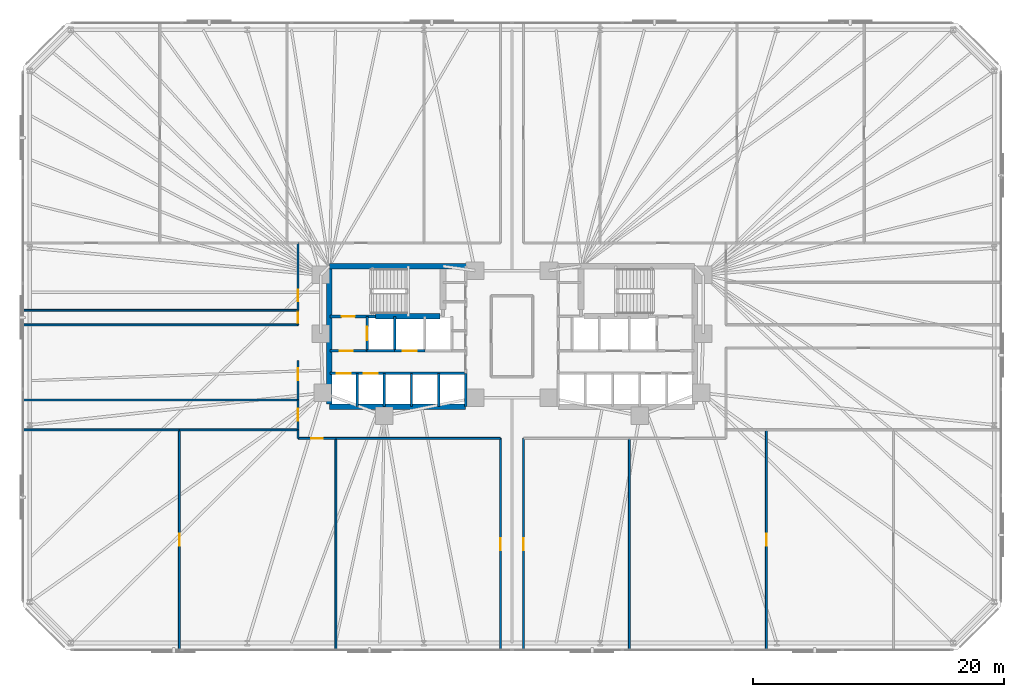
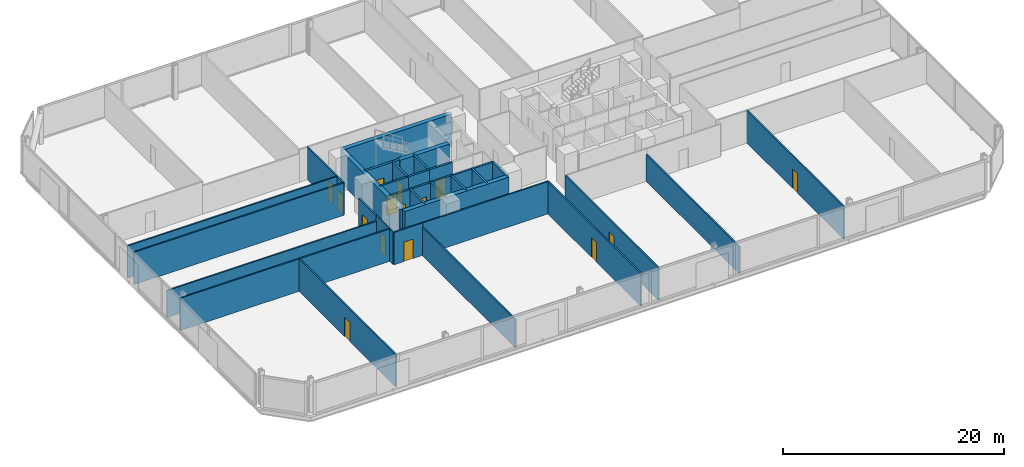
# One storey, part 12 of 17: 34 walls, 15 doors, 15 openings.
"""IFC4 building model written with IfcOpenShell, lengths in metres."""

from ifc_helpers import new_model, si_unit, direction, frame, frame_2d, origin, place, context, subcontext, project, spatial, rectangle, extrude, material, layer, layer_set, type_object, element, fill, save


model = new_model("IFC4")

# Units and contexts
model_context = context("Model", 3, precision=1e-05, world=origin(), true_north=direction((0.0, 1.0)))
body_context = subcontext(model_context, "Body", "Model", "MODEL_VIEW")
ifc_project = project(units=[si_unit("LENGTHUNIT", "METRE"), si_unit("AREAUNIT", "SQUARE_METRE"), si_unit("VOLUMEUNIT", "CUBIC_METRE"), si_unit("PLANEANGLEUNIT", "RADIAN"), si_unit("MASSUNIT", "GRAM", prefix="KILO")], contexts=[model_context])

# Site, building, storey
site_placement = place(None, origin())
site = spatial("IfcSite", under=ifc_project, at=site_placement, CompositionType="ELEMENT")
building_placement = place(site_placement, origin())
building = spatial("IfcBuilding", under=site, at=building_placement, Name="Menara Jurai Vektor", CompositionType="ELEMENT")
storey_placement = place(building_placement, frame((0.0, 0.0, 52.199951171875)))
storey = spatial("IfcBuildingStorey", under=building, at=storey_placement, Name="L12", CompositionType="ELEMENT", Elevation=52.199951171875)

# Wall, opening, door
ifc_material_1 = material(Name="Concrete C40/50", Category="concrete")
ifc_layer_1 = layer(ifc_material_1, 0.25)
ifc_layer_set_1 = layer_set([ifc_layer_1], Name="Concrete C40/50")
wall_type_1 = type_object("IfcWallType", Name="INT-WALL-CORE-250", PredefinedType="STANDARD", material=ifc_layer_set_1)
wall_1_placement = place(storey_placement, frame((-14.5, 1.60009765625, 0.0), z_axis=(0.0, 0.0, 1.0), x_axis=(1.0, 0.0, 0.0)))
wall_1 = element("IfcWall", 1, at=wall_1_placement, inside=storey, type_object=wall_type_1, Name="Interior Wall IW-250 L12", PredefinedType="STANDARD", context=body_context, shape_type="SweptSolid", body=[
    extrude(rectangle(XDim=3.60009765625, YDim=0.25, at=frame_2d((1.800048828125, 0.0))), origin(), (0.0, 0.0, 1.0), 3.574951171875),
])
opening_1_placement = place(wall_1_placement, frame((0.919921875, 0.0, 0.0)))
opening_1 = element("IfcOpeningElement", 2, at=opening_1_placement, cuts=wall_1, Name="Opening D-L12-ST1", PredefinedType="OPENING", context=body_context, shape_type="SweptSolid", body=[
    extrude(rectangle(XDim=1.050048828125, YDim=2.14990234375, at=frame_2d((0.52490234375, 1.074951171875))), frame((0.0, 0.135009765625, 0.0), z_axis=(0.0, -1.0, 0.0), x_axis=(1.0, 0.0, 0.0)), (0.0, 0.0, 1.0), 0.27001953125),
])
ifc_material_2 = material(Name="Fire-Rated Steel Door", Category="steel")
door_type_1 = type_object("IfcDoorType", Name="DR-STAIR-1050", OperationType="NOTDEFINED", PredefinedType="DOOR", material=ifc_material_2)
door_1_placement = place(opening_1_placement, origin())
door_1 = element("IfcDoor", 3, at=door_1_placement, inside=storey, type_object=door_type_1, Name="Exit Stair ST1 Door L12", OperationType="SINGLE_SWING_RIGHT", OverallHeight=2.14990234375, OverallWidth=1.050048828125, PredefinedType="DOOR", context=body_context, shape_type="SweptSolid", body=[
    extrude(rectangle(XDim=1.050048828125, YDim=2.14990234375, at=frame_2d((0.52490234375, 1.074951171875))), frame((0.0, 0.02490234375, 0.0), z_axis=(0.0, -1.0, 0.0), x_axis=(1.0, 0.0, 0.0)), (0.0, 0.0, 1.0), 0.050048828125),
])
fill(opening_1, door_1)

wall_2_placement = place(storey_placement, frame((-11.550048828125, -1.14990234375, 0.0), z_axis=(0.0, 0.0, 1.0), x_axis=(0.0, 1.0, 0.0)))
wall_2 = element("IfcWall", 4, at=wall_2_placement, inside=storey, type_object=wall_type_1, Name="Interior Wall IW-250 L12", PredefinedType="STANDARD", context=body_context, shape_type="SweptSolid", body=[
    extrude(rectangle(XDim=2.75, YDim=0.199951171875, at=frame_2d((1.375, 0.0))), origin(), (0.0, 0.0, 1.0), 3.574951171875),
])
opening_2_placement = place(wall_2_placement, frame((0.824951171875, 0.0, 0.0)))
opening_2 = element("IfcOpeningElement", 5, at=opening_2_placement, cuts=wall_2, Name="Opening LD-L12-FL1", PredefinedType="OPENING", context=body_context, shape_type="SweptSolid", body=[
    extrude(rectangle(XDim=1.10009765625, YDim=2.14990234375, at=frame_2d((0.550048828125, 1.074951171875))), frame((0.0, 0.10986328125, 0.0), z_axis=(0.0, -1.0, 0.0), x_axis=(1.0, 0.0, 0.0)), (0.0, 0.0, 1.0), 0.219970703125),
])
ifc_material_3 = material(Name="Stainless Steel Sliding Lift Landing Door", Category="steel")
door_type_2 = type_object("IfcDoorType", Name="DR-LIFT-FIRE-1100", OperationType="NOTDEFINED", PredefinedType="DOOR", material=ifc_material_3)
door_2_placement = place(opening_2_placement, origin())
door_2 = element("IfcDoor", 6, at=door_2_placement, inside=storey, type_object=door_type_2, Name="Lift Landing Door FL1 L12", OperationType="SLIDING_TO_RIGHT", OverallHeight=2.14990234375, OverallWidth=1.10009765625, PredefinedType="DOOR", context=body_context, shape_type="SweptSolid", body=[
    extrude(rectangle(XDim=1.10009765625, YDim=2.14990234375, at=frame_2d((0.550048828125, 1.074951171875))), frame((0.0, 0.02490234375, 0.0), z_axis=(0.0, -1.0, 0.0), x_axis=(1.0, 0.0, 0.0)), (0.0, 0.0, 1.0), 0.050048828125),
])
fill(opening_2, door_2)

# Wall
wall_3_placement = place(storey_placement, frame((-9.35009765625, -1.14990234375, 0.0), z_axis=(0.0, 0.0, 1.0), x_axis=(0.0, 1.0, 0.0)))
element("IfcWall", 7, at=wall_3_placement, inside=storey, type_object=wall_type_1, Name="Interior Wall IW-250 L12", PredefinedType="STANDARD", context=body_context, shape_type="SweptSolid", body=[
    extrude(rectangle(XDim=2.75, YDim=0.199951171875, at=frame_2d((1.375, 0.0))), origin(), (0.0, 0.0, 1.0), 3.574951171875),
])

# Wall, opening, door
wall_4_placement = place(storey_placement, frame((-14.5, -1.14990234375, 0.0), z_axis=(0.0, 0.0, 1.0), x_axis=(1.0, 0.0, 0.0)))
wall_4 = element("IfcWall", 8, at=wall_4_placement, inside=storey, type_object=wall_type_1, Name="Interior Wall IW-250 L12", PredefinedType="STANDARD", context=body_context, shape_type="SweptSolid", body=[
    extrude(rectangle(XDim=2.949951171875, YDim=0.199951171875, at=frame_2d((1.47509765625, 0.0))), origin(), (0.0, 0.0, 1.0), 3.574951171875),
])
opening_3_placement = place(wall_4_placement, frame((0.75, 0.0, 0.0)))
opening_3 = element("IfcOpeningElement", 9, at=opening_3_placement, cuts=wall_4, Name="Opening D-L12-FFW", PredefinedType="OPENING", context=body_context, shape_type="SweptSolid", body=[
    extrude(rectangle(XDim=1.050048828125, YDim=2.179931640625, at=frame_2d((0.52490234375, 1.08984375))), frame((0.0, 0.10986328125, 0.0), z_axis=(0.0, -1.0, 0.0), x_axis=(1.0, 0.0, 0.0)), (0.0, 0.0, 1.0), 0.219970703125),
])
ifc_material_4 = material(Name="Fire-Rated Timber Door", Category="wood")
door_type_3 = type_object("IfcDoorType", Name="DR-LOBBY-1050", OperationType="NOTDEFINED", PredefinedType="DOOR", material=ifc_material_4)
door_3_placement = place(opening_3_placement, origin())
door_3 = element("IfcDoor", 10, at=door_3_placement, inside=storey, type_object=door_type_3, Name="Fire Lift Lobby Door W L12", OperationType="SINGLE_SWING_RIGHT", OverallHeight=2.179931640625, OverallWidth=1.050048828125, PredefinedType="DOOR", context=body_context, shape_type="SweptSolid", body=[
    extrude(rectangle(XDim=1.050048828125, YDim=2.179931640625, at=frame_2d((0.52490234375, 1.08984375))), frame((0.0, 0.02490234375, 0.0), z_axis=(0.0, -1.0, 0.0), x_axis=(1.0, 0.0, 0.0)), (0.0, 0.0, 1.0), 0.050048828125),
])
fill(opening_3, door_3)

# Walls
wall_5_placement = place(storey_placement, frame((-11.550048828125, -1.14990234375, 0.0), z_axis=(0.0, 0.0, 1.0), x_axis=(1.0, 0.0, 0.0)))
element("IfcWall", 11, at=wall_5_placement, inside=storey, type_object=wall_type_1, Name="Interior Wall IW-250 L12", PredefinedType="STANDARD", context=body_context, shape_type="SweptSolid", body=[
    extrude(rectangle(XDim=2.199951171875, YDim=0.199951171875, at=frame_2d((1.10009765625, 0.0))), origin(), (0.0, 0.0, 1.0), 3.574951171875),
])
ifc_material_5 = material(Name="Gypsum Fireboard Partition", Category="gypsum")
ifc_layer_2 = layer(ifc_material_5, 0.14990234375)
ifc_layer_set_2 = layer_set([ifc_layer_2], Name="Gypsum Fireboard Partition")
wall_type_2 = type_object("IfcWallType", Name="INT-WALL-CORR-150", PredefinedType="PARTITIONING", material=ifc_layer_set_2)
wall_6_placement = place(storey_placement, frame((-17.05908203125, -8.1298828125, 0.0), z_axis=(0.0, 0.0, 1.0), x_axis=(0.0, 1.0, 0.0)))
element("IfcWall", 12, at=wall_6_placement, inside=storey, type_object=wall_type_2, Name="Interior Wall IW-150 L12", PredefinedType="PARTITIONING", context=body_context, shape_type="SweptSolid", body=[
    extrude(rectangle(XDim=0.679931640625, YDim=0.14990234375, at=frame_2d((0.33984375, 0.0))), origin(), (0.0, 0.0, 1.0), 3.574951171875),
])

# Wall, opening, door
wall_7_placement = place(storey_placement, frame((-17.05908203125, -8.1298828125, 0.0), z_axis=(0.0, 0.0, 1.0), x_axis=(1.0, 0.0, 0.0)))
wall_7 = element("IfcWall", 13, at=wall_7_placement, inside=storey, type_object=wall_type_2, Name="Interior Wall IW-150 L12", PredefinedType="PARTITIONING", context=body_context, shape_type="SweptSolid", body=[
    extrude(rectangle(XDim=3.01904296875, YDim=0.14990234375, at=frame_2d((1.509521484375, 0.0))), origin(), (0.0, 0.0, 1.0), 3.574951171875),
])
opening_4_placement = place(wall_7_placement, frame((1.034423828125, 0.0, 0.0)))
opening_4 = element("IfcOpeningElement", 14, at=opening_4_placement, cuts=wall_7, Name="Opening D12-11", PredefinedType="OPENING", context=body_context, shape_type="SweptSolid", body=[
    extrude(rectangle(XDim=0.949951171875, YDim=2.14990234375, at=frame_2d((0.47509765625, 1.074951171875))), frame((0.0, 0.0849609375, 0.0), z_axis=(0.0, -1.0, 0.0), x_axis=(1.0, 0.0, 0.0)), (0.0, 0.0, 1.0), 0.169921875),
])
ifc_material_6 = material(Name="Solid Core Timber Fire Door", Category="wood")
door_type_4 = type_object("IfcDoorType", Name="DR-ENTRY-950", OperationType="NOTDEFINED", PredefinedType="DOOR", material=ifc_material_6)
door_4_placement = place(opening_4_placement, origin())
door_4 = element("IfcDoor", 15, at=door_4_placement, inside=storey, type_object=door_type_4, Name="Interior Door D12-11", OperationType="SINGLE_SWING_RIGHT", OverallHeight=2.14990234375, OverallWidth=0.949951171875, PredefinedType="DOOR", context=body_context, shape_type="SweptSolid", body=[
    extrude(rectangle(XDim=0.949951171875, YDim=2.14990234375, at=frame_2d((0.47509765625, 1.074951171875))), frame((0.0, 0.02490234375, 0.0), z_axis=(0.0, -1.0, 0.0), x_axis=(1.0, 0.0, 0.0)), (0.0, 0.0, 1.0), 0.050048828125),
])
fill(opening_4, door_4)

# Wall
wall_8_placement = place(storey_placement, frame((-14.0400390625, -8.1298828125, 0.0), z_axis=(0.0, 0.0, 1.0), x_axis=(1.0, 0.0, 0.0)))
element("IfcWall", 16, at=wall_8_placement, inside=storey, type_object=wall_type_2, Name="Interior Wall IW-150 L12", PredefinedType="PARTITIONING", context=body_context, shape_type="SweptSolid", body=[
    extrude(rectangle(XDim=13.1201171875, YDim=0.14990234375, at=frame_2d((6.56005859375, 0.0))), origin(), (0.0, 0.0, 1.0), 3.574951171875),
])

# Wall, opening, door
wall_9_placement = place(storey_placement, frame((-0.919921875, -25.0, 0.0), z_axis=(0.0, 0.0, 1.0), x_axis=(0.0, 1.0, 0.0)))
wall_9 = element("IfcWall", 17, at=wall_9_placement, inside=storey, type_object=wall_type_2, Name="Interior Wall IW-150 L12", PredefinedType="PARTITIONING", context=body_context, shape_type="SweptSolid", body=[
    extrude(rectangle(XDim=16.8701171875, YDim=0.14990234375, at=frame_2d((8.43505859375, 0.0))), origin(), (0.0, 0.0, 1.0), 3.574951171875),
])
opening_5_placement = place(wall_9_placement, frame((7.9599609375, 0.0, 0.0)))
opening_5 = element("IfcOpeningElement", 18, at=opening_5_placement, cuts=wall_9, Name="Opening D12-12", PredefinedType="OPENING", context=body_context, shape_type="SweptSolid", body=[
    extrude(rectangle(XDim=0.949951171875, YDim=2.14990234375, at=frame_2d((0.47509765625, 1.074951171875))), frame((0.0, 0.0849609375, 0.0), z_axis=(0.0, -1.0, 0.0), x_axis=(1.0, 0.0, 0.0)), (0.0, 0.0, 1.0), 0.169921875),
])
door_5_placement = place(opening_5_placement, origin())
door_5 = element("IfcDoor", 19, at=door_5_placement, inside=storey, type_object=door_type_4, Name="Interior Door D12-12", OperationType="SINGLE_SWING_LEFT", OverallHeight=2.14990234375, OverallWidth=0.949951171875, PredefinedType="DOOR", context=body_context, shape_type="SweptSolid", body=[
    extrude(rectangle(XDim=0.949951171875, YDim=2.14990234375, at=frame_2d((0.47509765625, 1.074951171875))), frame((0.0, 0.02490234375, 0.0), z_axis=(0.0, -1.0, 0.0), x_axis=(1.0, 0.0, 0.0)), (0.0, 0.0, 1.0), 0.050048828125),
])
fill(opening_5, door_5)

wall_10_placement = place(storey_placement, frame((0.919921875, -25.0, 0.0), z_axis=(0.0, 0.0, 1.0), x_axis=(0.0, 1.0, 0.0)))
wall_10 = element("IfcWall", 20, at=wall_10_placement, inside=storey, type_object=wall_type_2, Name="Interior Wall IW-150 L12", PredefinedType="PARTITIONING", context=body_context, shape_type="SweptSolid", body=[
    extrude(rectangle(XDim=16.8701171875, YDim=0.14990234375, at=frame_2d((8.43505859375, 0.0))), origin(), (0.0, 0.0, 1.0), 3.574951171875),
])
opening_6_placement = place(wall_10_placement, frame((7.9599609375, 0.0, 0.0)))
opening_6 = element("IfcOpeningElement", 21, at=opening_6_placement, cuts=wall_10, Name="Opening D12-13", PredefinedType="OPENING", context=body_context, shape_type="SweptSolid", body=[
    extrude(rectangle(XDim=0.949951171875, YDim=2.14990234375, at=frame_2d((0.47509765625, 1.074951171875))), frame((0.0, 0.0849609375, 0.0), z_axis=(0.0, -1.0, 0.0), x_axis=(1.0, 0.0, 0.0)), (0.0, 0.0, 1.0), 0.169921875),
])
door_6_placement = place(opening_6_placement, origin())
door_6 = element("IfcDoor", 22, at=door_6_placement, inside=storey, type_object=door_type_4, Name="Interior Door D12-13", OperationType="SINGLE_SWING_RIGHT", OverallHeight=2.14990234375, OverallWidth=0.949951171875, PredefinedType="DOOR", context=body_context, shape_type="SweptSolid", body=[
    extrude(rectangle(XDim=0.949951171875, YDim=2.14990234375, at=frame_2d((0.47509765625, 1.074951171875))), frame((0.0, 0.02490234375, 0.0), z_axis=(0.0, -1.0, 0.0), x_axis=(1.0, 0.0, 0.0)), (0.0, 0.0, 1.0), 0.050048828125),
])
fill(opening_6, door_6)

wall_11_placement = place(storey_placement, frame((-17.05908203125, -7.449951171875, 0.0), z_axis=(0.0, 0.0, 1.0), x_axis=(0.0, 1.0, 0.0)))
wall_11 = element("IfcWall", 23, at=wall_11_placement, inside=storey, type_object=wall_type_2, Name="Interior Wall IW-150 L12", PredefinedType="PARTITIONING", context=body_context, shape_type="SweptSolid", body=[
    extrude(rectangle(XDim=2.384033203125, YDim=0.14990234375, at=frame_2d((1.19189453125, 0.0))), origin(), (0.0, 0.0, 1.0), 3.574951171875),
])
opening_7_placement = place(wall_11_placement, frame((0.717041015625, 0.0, 0.0)))
opening_7 = element("IfcOpeningElement", 24, at=opening_7_placement, cuts=wall_11, Name="Opening D12-15", PredefinedType="OPENING", context=body_context, shape_type="SweptSolid", body=[
    extrude(rectangle(XDim=0.949951171875, YDim=2.14990234375, at=frame_2d((0.47509765625, 1.074951171875))), frame((0.0, 0.0849609375, 0.0), z_axis=(0.0, -1.0, 0.0), x_axis=(1.0, 0.0, 0.0)), (0.0, 0.0, 1.0), 0.169921875),
])
door_7_placement = place(opening_7_placement, origin())
door_7 = element("IfcDoor", 25, at=door_7_placement, inside=storey, type_object=door_type_4, Name="Interior Door D12-15", OperationType="SINGLE_SWING_RIGHT", OverallHeight=2.14990234375, OverallWidth=0.949951171875, PredefinedType="DOOR", context=body_context, shape_type="SweptSolid", body=[
    extrude(rectangle(XDim=0.949951171875, YDim=2.14990234375, at=frame_2d((0.47509765625, 1.074951171875))), frame((0.0, 0.02490234375, 0.0), z_axis=(0.0, -1.0, 0.0), x_axis=(1.0, 0.0, 0.0)), (0.0, 0.0, 1.0), 0.050048828125),
])
fill(opening_7, door_7)

wall_12_placement = place(storey_placement, frame((-17.05908203125, -5.06591796875, 0.0), z_axis=(0.0, 0.0, 1.0), x_axis=(0.0, 1.0, 0.0)))
wall_12 = element("IfcWall", 26, at=wall_12_placement, inside=storey, type_object=wall_type_2, Name="Interior Wall IW-150 L12", PredefinedType="PARTITIONING", context=body_context, shape_type="SweptSolid", body=[
    extrude(rectangle(XDim=3.12890625, YDim=0.14990234375, at=frame_2d((1.564453125, 0.0))), origin(), (0.0, 0.0, 1.0), 3.574951171875),
])
opening_8_placement = place(wall_12_placement, frame((1.558837890625, 0.0, 0.0)))
opening_8 = element("IfcOpeningElement", 27, at=opening_8_placement, cuts=wall_12, Name="Opening D12-16", PredefinedType="OPENING", context=body_context, shape_type="SweptSolid", body=[
    extrude(rectangle(XDim=0.949951171875, YDim=2.14990234375, at=frame_2d((0.47509765625, 1.074951171875))), frame((0.0, 0.0849609375, 0.0), z_axis=(0.0, -1.0, 0.0), x_axis=(1.0, 0.0, 0.0)), (0.0, 0.0, 1.0), 0.169921875),
])
door_8_placement = place(opening_8_placement, origin())
door_8 = element("IfcDoor", 28, at=door_8_placement, inside=storey, type_object=door_type_4, Name="Interior Door D12-16", OperationType="SINGLE_SWING_LEFT", OverallHeight=2.14990234375, OverallWidth=0.949951171875, PredefinedType="DOOR", context=body_context, shape_type="SweptSolid", body=[
    extrude(rectangle(XDim=0.949951171875, YDim=2.14990234375, at=frame_2d((0.47509765625, 1.074951171875))), frame((0.0, 0.02490234375, 0.0), z_axis=(0.0, -1.0, 0.0), x_axis=(1.0, 0.0, 0.0)), (0.0, 0.0, 1.0), 0.050048828125),
])
fill(opening_8, door_8)

# Wall
wall_13_placement = place(storey_placement, frame((-39.0, 0.919921875, 0.0), z_axis=(0.0, 0.0, 1.0), x_axis=(1.0, 0.0, 0.0)))
element("IfcWall", 29, at=wall_13_placement, inside=storey, type_object=wall_type_2, Name="Interior Wall IW-150 L12", PredefinedType="PARTITIONING", context=body_context, shape_type="SweptSolid", body=[
    extrude(rectangle(XDim=21.94091796875, YDim=0.14990234375, at=frame_2d((10.970458984375, 0.0))), origin(), (0.0, 0.0, 1.0), 3.574951171875),
])

# Wall, opening, door
wall_14_placement = place(storey_placement, frame((-17.05908203125, 0.919921875, 0.0), z_axis=(0.0, 0.0, 1.0), x_axis=(0.0, 1.0, 0.0)))
wall_14 = element("IfcWall", 30, at=wall_14_placement, inside=storey, type_object=wall_type_2, Name="Interior Wall IW-150 L12", PredefinedType="PARTITIONING", context=body_context, shape_type="SweptSolid", body=[
    extrude(rectangle(XDim=1.166015625, YDim=0.14990234375, at=frame_2d((0.5830078125, 0.0))), origin(), (0.0, 0.0, 1.0), 3.574951171875),
])
opening_9_placement = place(wall_14_placement, frame((0.1201171875, 0.0, 0.0)))
opening_9 = element("IfcOpeningElement", 31, at=opening_9_placement, cuts=wall_14, Name="Opening D12-17", PredefinedType="OPENING", context=body_context, shape_type="SweptSolid", body=[
    extrude(rectangle(XDim=0.926025390625, YDim=2.14990234375, at=frame_2d((0.462890625, 1.074951171875))), frame((0.0, 0.0849609375, 0.0), z_axis=(0.0, -1.0, 0.0), x_axis=(1.0, 0.0, 0.0)), (0.0, 0.0, 1.0), 0.169921875),
])
door_9_placement = place(opening_9_placement, origin())
door_9 = element("IfcDoor", 32, at=door_9_placement, inside=storey, type_object=door_type_4, Name="Interior Door D12-17", OperationType="SINGLE_SWING_RIGHT", OverallHeight=2.14990234375, OverallWidth=0.926025390625, PredefinedType="DOOR", context=body_context, shape_type="SweptSolid", body=[
    extrude(rectangle(XDim=0.926025390625, YDim=2.14990234375, at=frame_2d((0.462890625, 1.074951171875))), frame((0.0, 0.02490234375, 0.0), z_axis=(0.0, -1.0, 0.0), x_axis=(1.0, 0.0, 0.0)), (0.0, 0.0, 1.0), 0.050048828125),
])
fill(opening_9, door_9)

wall_15_placement = place(storey_placement, frame((-17.05908203125, 2.0859375, 0.0), z_axis=(0.0, 0.0, 1.0), x_axis=(0.0, 1.0, 0.0)))
wall_15 = element("IfcWall", 33, at=wall_15_placement, inside=storey, type_object=wall_type_2, Name="Interior Wall IW-150 L12", PredefinedType="PARTITIONING", context=body_context, shape_type="SweptSolid", body=[
    extrude(rectangle(XDim=5.364013671875, YDim=0.14990234375, at=frame_2d((2.68212890625, 0.0))), origin(), (0.0, 0.0, 1.0), 3.574951171875),
])
opening_10_placement = place(wall_15_placement, frame((0.705078125, 0.0, 0.0)))
opening_10 = element("IfcOpeningElement", 34, at=opening_10_placement, cuts=wall_15, Name="Opening D12-18", PredefinedType="OPENING", context=body_context, shape_type="SweptSolid", body=[
    extrude(rectangle(XDim=0.949951171875, YDim=2.14990234375, at=frame_2d((0.47509765625, 1.074951171875))), frame((0.0, 0.0849609375, 0.0), z_axis=(0.0, -1.0, 0.0), x_axis=(1.0, 0.0, 0.0)), (0.0, 0.0, 1.0), 0.169921875),
])
door_10_placement = place(opening_10_placement, origin())
door_10 = element("IfcDoor", 35, at=door_10_placement, inside=storey, type_object=door_type_4, Name="Interior Door D12-18", OperationType="SINGLE_SWING_LEFT", OverallHeight=2.14990234375, OverallWidth=0.949951171875, PredefinedType="DOOR", context=body_context, shape_type="SweptSolid", body=[
    extrude(rectangle(XDim=0.949951171875, YDim=2.14990234375, at=frame_2d((0.47509765625, 1.074951171875))), frame((0.0, 0.02490234375, 0.0), z_axis=(0.0, -1.0, 0.0), x_axis=(1.0, 0.0, 0.0)), (0.0, 0.0, 1.0), 0.050048828125),
])
fill(opening_10, door_10)

wall_16_placement = place(storey_placement, frame((-26.52001953125, -25.0, 0.0), z_axis=(0.0, 0.0, 1.0), x_axis=(0.0, 1.0, 0.0)))
wall_16 = element("IfcWall", 36, at=wall_16_placement, inside=storey, type_object=wall_type_2, Name="Interior Wall IW-150 L12", PredefinedType="PARTITIONING", context=body_context, shape_type="SweptSolid", body=[
    extrude(rectangle(XDim=17.550048828125, YDim=0.14990234375, at=frame_2d((8.77490234375, 0.0))), origin(), (0.0, 0.0, 1.0), 3.574951171875),
])
opening_11_placement = place(wall_16_placement, frame((8.300048828125, 0.0, 0.0)))
opening_11 = element("IfcOpeningElement", 37, at=opening_11_placement, cuts=wall_16, Name="Opening D12-26", PredefinedType="OPENING", context=body_context, shape_type="SweptSolid", body=[
    extrude(rectangle(XDim=0.949951171875, YDim=2.14990234375, at=frame_2d((0.47509765625, 1.074951171875))), frame((0.0, 0.0849609375, 0.0), z_axis=(0.0, -1.0, 0.0), x_axis=(1.0, 0.0, 0.0)), (0.0, 0.0, 1.0), 0.169921875),
])
door_11_placement = place(opening_11_placement, origin())
door_11 = element("IfcDoor", 38, at=door_11_placement, inside=storey, type_object=door_type_4, Name="Interior Door D12-26", OperationType="SINGLE_SWING_LEFT", OverallHeight=2.14990234375, OverallWidth=0.949951171875, PredefinedType="DOOR", context=body_context, shape_type="SweptSolid", body=[
    extrude(rectangle(XDim=0.949951171875, YDim=2.14990234375, at=frame_2d((0.47509765625, 1.074951171875))), frame((0.0, 0.02490234375, 0.0), z_axis=(0.0, -1.0, 0.0), x_axis=(1.0, 0.0, 0.0)), (0.0, 0.0, 1.0), 0.050048828125),
])
fill(opening_11, door_11)

# Walls
wall_17_placement = place(storey_placement, frame((-39.0, -7.449951171875, 0.0), z_axis=(0.0, 0.0, 1.0), x_axis=(1.0, 0.0, 0.0)))
element("IfcWall", 39, at=wall_17_placement, inside=storey, type_object=wall_type_2, Name="Interior Wall IW-150 L12", PredefinedType="PARTITIONING", context=body_context, shape_type="SweptSolid", body=[
    extrude(rectangle(XDim=12.47998046875, YDim=0.14990234375, at=frame_2d((6.239990234375, 0.0))), origin(), (0.0, 0.0, 1.0), 3.574951171875),
])
wall_18_placement = place(storey_placement, frame((-26.52001953125, -7.449951171875, 0.0), z_axis=(0.0, 0.0, 1.0), x_axis=(1.0, 0.0, 0.0)))
element("IfcWall", 40, at=wall_18_placement, inside=storey, type_object=wall_type_2, Name="Interior Wall IW-150 L12", PredefinedType="PARTITIONING", context=body_context, shape_type="SweptSolid", body=[
    extrude(rectangle(XDim=9.4609375, YDim=0.14990234375, at=frame_2d((4.73046875, 0.0))), origin(), (0.0, 0.0, 1.0), 3.574951171875),
])

# Wall, opening, door
wall_19_placement = place(storey_placement, frame((20.280029296875, -25.0, 0.0), z_axis=(0.0, 0.0, 1.0), x_axis=(0.0, 1.0, 0.0)))
wall_19 = element("IfcWall", 41, at=wall_19_placement, inside=storey, type_object=wall_type_2, Name="Interior Wall IW-150 L12", PredefinedType="PARTITIONING", context=body_context, shape_type="SweptSolid", body=[
    extrude(rectangle(XDim=17.550048828125, YDim=0.14990234375, at=frame_2d((8.77490234375, 0.0))), origin(), (0.0, 0.0, 1.0), 3.574951171875),
])
opening_12_placement = place(wall_19_placement, frame((8.300048828125, 0.0, 0.0)))
opening_12 = element("IfcOpeningElement", 42, at=opening_12_placement, cuts=wall_19, Name="Opening D12-27", PredefinedType="OPENING", context=body_context, shape_type="SweptSolid", body=[
    extrude(rectangle(XDim=0.949951171875, YDim=2.14990234375, at=frame_2d((0.47509765625, 1.074951171875))), frame((0.0, 0.0849609375, 0.0), z_axis=(0.0, -1.0, 0.0), x_axis=(1.0, 0.0, 0.0)), (0.0, 0.0, 1.0), 0.169921875),
])
door_12_placement = place(opening_12_placement, origin())
door_12 = element("IfcDoor", 43, at=door_12_placement, inside=storey, type_object=door_type_4, Name="Interior Door D12-27", OperationType="SINGLE_SWING_RIGHT", OverallHeight=2.14990234375, OverallWidth=0.949951171875, PredefinedType="DOOR", context=body_context, shape_type="SweptSolid", body=[
    extrude(rectangle(XDim=0.949951171875, YDim=2.14990234375, at=frame_2d((0.47509765625, 1.074951171875))), frame((0.0, 0.02490234375, 0.0), z_axis=(0.0, -1.0, 0.0), x_axis=(1.0, 0.0, 0.0)), (0.0, 0.0, 1.0), 0.050048828125),
])
fill(opening_12, door_12)

# Walls
wall_20_placement = place(storey_placement, frame((-39.0, 2.0859375, 0.0), z_axis=(0.0, 0.0, 1.0), x_axis=(1.0, 0.0, 0.0)))
element("IfcWall", 44, at=wall_20_placement, inside=storey, type_object=wall_type_2, Name="Interior Wall IW-150 L12", PredefinedType="PARTITIONING", context=body_context, shape_type="SweptSolid", body=[
    extrude(rectangle(XDim=21.94091796875, YDim=0.14990234375, at=frame_2d((10.970458984375, 0.0))), origin(), (0.0, 0.0, 1.0), 3.574951171875),
])
ifc_layer_3 = layer(ifc_material_5, 0.14990234375)
ifc_layer_set_3 = layer_set([ifc_layer_3], Name="Gypsum Fireboard Partition")
wall_type_3 = type_object("IfcWallType", Name="INT-WALL-CORR-150-H1", PredefinedType="PARTITIONING", material=ifc_layer_set_3)
wall_21_placement = place(storey_placement, frame((-14.0400390625, -25.0, 0.0), z_axis=(0.0, 0.0, 1.0), x_axis=(0.0, 1.0, 0.0)))
element("IfcWall", 45, at=wall_21_placement, inside=storey, type_object=wall_type_3, Name="Interior Wall IW-150 L12", PredefinedType="PARTITIONING", context=body_context, shape_type="SweptSolid", body=[
    extrude(rectangle(XDim=16.8701171875, YDim=0.14990234375, at=frame_2d((8.43505859375, 0.0))), origin(), (0.0, 0.0, 1.0), 3.125),
])
ifc_layer_4 = layer(ifc_material_5, 0.14990234375)
ifc_layer_set_4 = layer_set([ifc_layer_4], Name="Gypsum Fireboard Partition")
wall_type_4 = type_object("IfcWallType", Name="INT-WALL-CORR-150-H2", PredefinedType="PARTITIONING", material=ifc_layer_set_4)
wall_22_placement = place(storey_placement, frame((9.360107421875, -25.0, 0.0), z_axis=(0.0, 0.0, 1.0), x_axis=(0.0, 1.0, 0.0)))
element("IfcWall", 46, at=wall_22_placement, inside=storey, type_object=wall_type_4, Name="Interior Wall IW-150 L12", PredefinedType="PARTITIONING", context=body_context, shape_type="SweptSolid", body=[
    extrude(rectangle(XDim=16.8701171875, YDim=0.14990234375, at=frame_2d((8.43505859375, 0.0))), origin(), (0.0, 0.0, 1.0), 2.97509765625),
])
wall_23_placement = place(storey_placement, frame((-39.0, -5.06591796875, 0.0), z_axis=(0.0, 0.0, 1.0), x_axis=(1.0, 0.0, 0.0)))
element("IfcWall", 47, at=wall_23_placement, inside=storey, type_object=wall_type_4, Name="Interior Wall IW-150 L12", PredefinedType="PARTITIONING", context=body_context, shape_type="SweptSolid", body=[
    extrude(rectangle(XDim=21.94091796875, YDim=0.14990234375, at=frame_2d((10.970458984375, 0.0))), origin(), (0.0, 0.0, 1.0), 2.97509765625),
])
ifc_layer_5 = layer(ifc_material_1, 0.199951171875)
ifc_layer_set_5 = layer_set([ifc_layer_5], Name="Concrete C40/50")
wall_type_5 = type_object("IfcWallType", Name="INT-WALL-SHAFT-200", PredefinedType="STANDARD", material=ifc_layer_set_5)
wall_24_placement = place(storey_placement, frame((-3.699951171875, -5.60009765625, 0.0), z_axis=(0.0, 0.0, 1.0), x_axis=(0.0, 1.0, 0.0)))
element("IfcWall", 48, at=wall_24_placement, inside=storey, type_object=wall_type_5, Name="Interior Wall IW-200 L12", PredefinedType="STANDARD", context=body_context, shape_type="SweptSolid", body=[
    extrude(rectangle(XDim=2.650146484375, YDim=0.199951171875, at=frame_2d((1.3251953125, 0.0))), origin(), (0.0, 0.0, 1.0), 3.574951171875),
])

# Wall, opening, door
wall_25_placement = place(storey_placement, frame((-9.35009765625, -1.14990234375, 0.0), z_axis=(0.0, 0.0, 1.0), x_axis=(1.0, 0.0, 0.0)))
wall_25 = element("IfcWall", 49, at=wall_25_placement, inside=storey, type_object=wall_type_5, Name="Interior Wall IW-200 L12", PredefinedType="STANDARD", context=body_context, shape_type="SweptSolid", body=[
    extrude(rectangle(XDim=2.400146484375, YDim=0.199951171875, at=frame_2d((1.2001953125, 0.0))), origin(), (0.0, 0.0, 1.0), 3.574951171875),
])
opening_13_placement = place(wall_25_placement, frame((0.64990234375, 0.0, 0.0)))
opening_13 = element("IfcOpeningElement", 50, at=opening_13_placement, cuts=wall_25, Name="Opening LD-L12-SVL1", PredefinedType="OPENING", context=body_context, shape_type="SweptSolid", body=[
    extrude(rectangle(XDim=1.10009765625, YDim=2.14990234375, at=frame_2d((0.550048828125, 1.074951171875))), frame((0.0, 0.10986328125, 0.0), z_axis=(0.0, -1.0, 0.0), x_axis=(1.0, 0.0, 0.0)), (0.0, 0.0, 1.0), 0.219970703125),
])
ifc_material_7 = material(Name="Anodised Stainless Sliding Lift Landing Door", Category="steel")
door_type_5 = type_object("IfcDoorType", Name="DR-LIFT-PASS-1100", OperationType="NOTDEFINED", PredefinedType="DOOR", material=ifc_material_7)
door_13_placement = place(opening_13_placement, origin())
door_13 = element("IfcDoor", 51, at=door_13_placement, inside=storey, type_object=door_type_5, Name="Lift Landing Door SVL1 L12", OperationType="SLIDING_TO_RIGHT", OverallHeight=2.14990234375, OverallWidth=1.10009765625, PredefinedType="DOOR", context=body_context, shape_type="SweptSolid", body=[
    extrude(rectangle(XDim=1.10009765625, YDim=2.14990234375, at=frame_2d((0.550048828125, 1.074951171875))), frame((0.0, 0.02490234375, 0.0), z_axis=(0.0, -1.0, 0.0), x_axis=(1.0, 0.0, 0.0)), (0.0, 0.0, 1.0), 0.050048828125),
])
fill(opening_13, door_13)

# Wall, openings, doors
wall_26_placement = place(storey_placement, frame((-14.5, -2.949951171875, 0.0), z_axis=(0.0, 0.0, 1.0), x_axis=(1.0, 0.0, 0.0)))
wall_26 = element("IfcWall", 52, at=wall_26_placement, inside=storey, type_object=wall_type_5, Name="Interior Wall IW-200 L12", PredefinedType="STANDARD", context=body_context, shape_type="SweptSolid", body=[
    extrude(rectangle(XDim=10.800048828125, YDim=0.199951171875, at=frame_2d((5.39990234375, 0.0))), origin(), (0.0, 0.0, 1.0), 3.574951171875),
])
opening_14_placement = place(wall_26_placement, frame((0.530029296875, 0.0, 0.0)))
opening_14 = element("IfcOpeningElement", 53, at=opening_14_placement, cuts=wall_26, Name="Opening LD-L12-PL1", PredefinedType="OPENING", context=body_context, shape_type="SweptSolid", body=[
    extrude(rectangle(XDim=1.10009765625, YDim=2.14990234375, at=frame_2d((0.550048828125, 1.074951171875))), frame((0.0, 0.10986328125, 0.0), z_axis=(0.0, -1.0, 0.0), x_axis=(1.0, 0.0, 0.0)), (0.0, 0.0, 1.0), 0.219970703125),
])
opening_15_placement = place(wall_26_placement, frame((2.68994140625, 0.0, 0.0)))
opening_15 = element("IfcOpeningElement", 54, at=opening_15_placement, cuts=wall_26, Name="Opening LD-L12-PL2", PredefinedType="OPENING", context=body_context, shape_type="SweptSolid", body=[
    extrude(rectangle(XDim=1.10009765625, YDim=2.14990234375, at=frame_2d((0.550048828125, 1.074951171875))), frame((0.0, 0.10986328125, 0.0), z_axis=(0.0, -1.0, 0.0), x_axis=(1.0, 0.0, 0.0)), (0.0, 0.0, 1.0), 0.219970703125),
])
door_14_placement = place(opening_14_placement, origin())
door_14 = element("IfcDoor", 55, at=door_14_placement, inside=storey, type_object=door_type_5, Name="Lift Landing Door PL1 L12", OperationType="SLIDING_TO_RIGHT", OverallHeight=2.14990234375, OverallWidth=1.10009765625, PredefinedType="DOOR", context=body_context, shape_type="SweptSolid", body=[
    extrude(rectangle(XDim=1.10009765625, YDim=2.14990234375, at=frame_2d((0.550048828125, 1.074951171875))), frame((0.0, 0.02490234375, 0.0), z_axis=(0.0, -1.0, 0.0), x_axis=(1.0, 0.0, 0.0)), (0.0, 0.0, 1.0), 0.050048828125),
])
fill(opening_14, door_14)
door_15_placement = place(opening_15_placement, origin())
door_15 = element("IfcDoor", 56, at=door_15_placement, inside=storey, type_object=door_type_5, Name="Lift Landing Door PL2 L12", OperationType="SLIDING_TO_RIGHT", OverallHeight=2.14990234375, OverallWidth=1.10009765625, PredefinedType="DOOR", context=body_context, shape_type="SweptSolid", body=[
    extrude(rectangle(XDim=1.10009765625, YDim=2.14990234375, at=frame_2d((0.550048828125, 1.074951171875))), frame((0.0, 0.02490234375, 0.0), z_axis=(0.0, -1.0, 0.0), x_axis=(1.0, 0.0, 0.0)), (0.0, 0.0, 1.0), 0.050048828125),
])
fill(opening_15, door_15)

# Walls
wall_27_placement = place(storey_placement, frame((-5.860107421875, -5.60009765625, 0.0), z_axis=(0.0, 0.0, 1.0), x_axis=(0.0, 1.0, 0.0)))
element("IfcWall", 57, at=wall_27_placement, inside=storey, type_object=wall_type_5, Name="Interior Wall IW-200 L12", PredefinedType="STANDARD", context=body_context, shape_type="SweptSolid", body=[
    extrude(rectangle(XDim=2.650146484375, YDim=0.199951171875, at=frame_2d((1.3251953125, 0.0))), origin(), (0.0, 0.0, 1.0), 3.574951171875),
])
for number, where, z_axis, x_axis, name in (
    (58, (-12.340087890625, -5.60009765625, 0.0), (0.0, 0.0, 1.0), (0.0, 1.0, 0.0), "Interior Wall IW-200 L12"),
    (59, (-10.179931640625, -5.60009765625, 0.0), (0.0, 0.0, 1.0), (0.0, 1.0, 0.0), "Interior Wall IW-200 L12"),
    (60, (-8.02001953125, -5.60009765625, 0.0), (0.0, 0.0, 1.0), (0.0, 1.0, 0.0), "Interior Wall IW-200 L12"),
):
    element("IfcWall", number, at=place(storey_placement, frame(where, z_axis=z_axis, x_axis=x_axis)), inside=storey, type_object=wall_type_5, Name=name, PredefinedType="STANDARD", context=body_context, shape_type="SweptSolid", body=[
        extrude(rectangle(XDim=2.650146484375, YDim=0.179931640625, at=frame_2d((1.3251953125, 0.0))), origin(), (0.0, 0.0, 1.0), 3.574951171875),
    ])
ifc_material_8 = material(Name="Concrete C60/75", Category="concrete")
ifc_layer_6 = layer(ifc_material_8, 0.449951171875)
ifc_layer_set_6 = layer_set([ifc_layer_6], Name="Concrete C60/75")
wall_type_6 = type_object("IfcWallType", Name="STR-WALL-CORE450", PredefinedType="SHEAR", material=ifc_layer_set_6)
wall_28_placement = place(storey_placement, frame((-14.56005859375, 5.60009765625, 0.0), z_axis=(0.0, 0.0, 1.0), x_axis=(1.0, 0.0, 0.0)))
element("IfcWall", 61, at=wall_28_placement, inside=storey, type_object=wall_type_6, Name="Core Shear Wall CW-W-N L12", PredefinedType="SHEAR", context=body_context, shape_type="SweptSolid", body=[
    extrude(rectangle(XDim=11.41015625, YDim=0.449951171875, at=frame_2d((5.705078125, 0.0))), origin(), (0.0, 0.0, 1.0), 3.574951171875),
])
wall_29_placement = place(storey_placement, frame((-14.56005859375, -5.60009765625, 0.0), z_axis=(0.0, 0.0, 1.0), x_axis=(1.0, 0.0, 0.0)))
element("IfcWall", 62, at=wall_29_placement, inside=storey, type_object=wall_type_6, Name="Core Shear Wall CW-W-S L12", PredefinedType="SHEAR", context=body_context, shape_type="SweptSolid", body=[
    extrude(rectangle(XDim=10.860107421875, YDim=0.449951171875, at=frame_2d((5.43017578125, 0.0))), origin(), (0.0, 0.0, 1.0), 3.574951171875),
])
wall_30_placement = place(storey_placement, frame((-14.56005859375, -5.375, 0.0), z_axis=(0.0, 0.0, 1.0), x_axis=(0.0, 1.0, 0.0)))
element("IfcWall", 63, at=wall_30_placement, inside=storey, type_object=wall_type_6, Name="Core Shear Wall CW-W-W L12", PredefinedType="SHEAR", context=body_context, shape_type="SweptSolid", body=[
    extrude(rectangle(XDim=10.75, YDim=0.449951171875, at=frame_2d((5.375, 0.0))), origin(), (0.0, 0.0, 1.0), 3.574951171875),
])
wall_31_placement = place(storey_placement, frame((-10.89990234375, 1.60009765625, 0.0), z_axis=(0.0, 0.0, 1.0), x_axis=(1.0, 0.0, 0.0)))
element("IfcWall", 64, at=wall_31_placement, inside=storey, type_object=wall_type_6, Name="Core Shear Wall CW-W-STS L12", PredefinedType="SHEAR", context=body_context, shape_type="SweptSolid", body=[
    extrude(rectangle(XDim=5.14990234375, YDim=0.449951171875, at=frame_2d((2.574951171875, 0.0))), origin(), (0.0, 0.0, 1.0), 3.574951171875),
])

save(model, "model.ifc")
